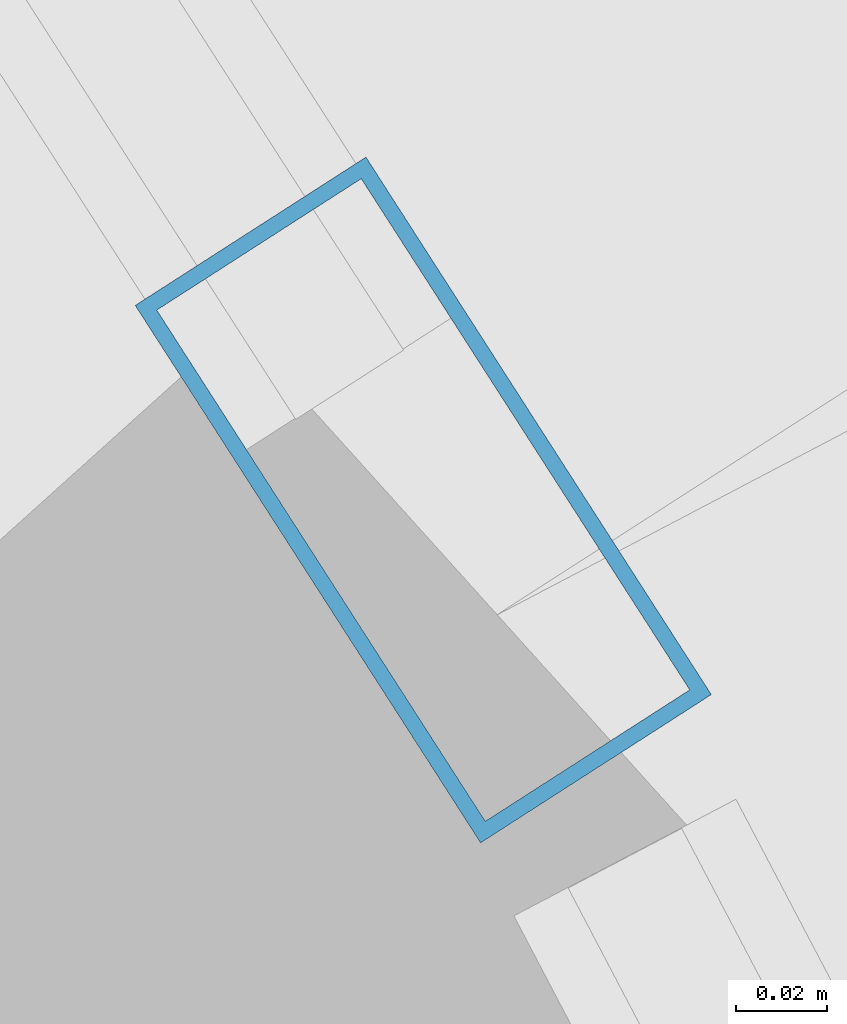
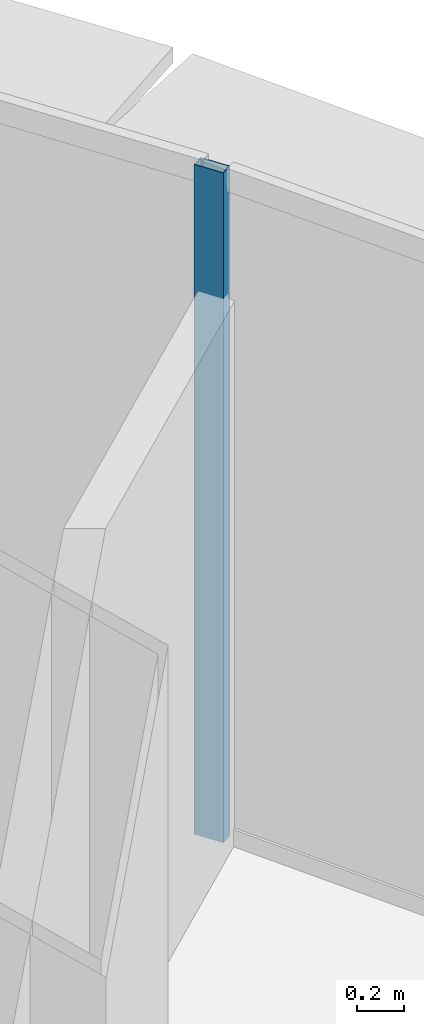
# One storey, part 21 of 36: 1 member, 1 element without a shape of its own.
"""IFC4 building model written with IfcOpenShell, lengths in metres."""

from ifc_helpers import new_model, si_unit, direction, frame, origin, origin_2d, place, context, subcontext, project, spatial, hollow_rectangle, extrude, source, transform, mapped, material, layer, layer_set, material_profile, profile_set, type_object, element, aggregate, save


model = new_model("IFC4")

# Units and contexts
model_context = context("Model", 3, precision=1e-05, world=origin(), true_north=direction((0.0, 1.0)))
body_context = subcontext(model_context, "Body", "Model", "MODEL_VIEW")
ifc_project = project(units=[si_unit("LENGTHUNIT", "METRE"), si_unit("AREAUNIT", "SQUARE_METRE"), si_unit("VOLUMEUNIT", "CUBIC_METRE"), si_unit("PLANEANGLEUNIT", "RADIAN"), si_unit("MASSUNIT", "GRAM", prefix="KILO"), si_unit("THERMODYNAMICTEMPERATUREUNIT", "KELVIN"), si_unit("POWERUNIT", "WATT")], contexts=[model_context])

# Site, building, storey
site_placement = place(None, origin())
site = spatial("IfcSite", under=ifc_project, at=site_placement, CompositionType="ELEMENT")
building_placement = place(site_placement, origin())
building = spatial("IfcBuilding", under=site, at=building_placement, Name="Yunzhuo Pagoda Commons", CompositionType="ELEMENT")
storey_placement = place(building_placement, frame((0.0, 0.0, 248.260009765625)))
storey = spatial("IfcBuildingStorey", under=building, at=storey_placement, Name="L62", CompositionType="ELEMENT", Elevation=248.260009765625)

# Curtain wall, member
ifc_material = material(Name="Anodized aluminium 6063-T6", Category="aluminium")
ifc_layer = layer(ifc_material, 0.139892578125)
ifc_layer_set = layer_set([ifc_layer], Name="Anodized aluminium 6063-T6")
curtain_wall_type = type_object("IfcCurtainWallType", Name="CW-HI High-Zone Ribbon Curtain Wall", PredefinedType="NOTDEFINED", material=ifc_layer_set)
curtain_wall_placement = place(storey_placement, origin())
curtain_wall = element("IfcCurtainWall", 1, at=curtain_wall_placement, inside=storey, type_object=curtain_wall_type, Name="L62 curtain wall CW-L62-F2B4", PredefinedType="NOTDEFINED")
ifc_material_profile = material_profile(ifc_material, hollow_rectangle(XDim=0.06005859375, YDim=0.139892578125, WallThickness=0.00341796875, at=origin_2d()), Name="Anodized aluminium 6063-T6")
ifc_profile_set = profile_set([ifc_material_profile], Name="Anodized aluminium 6063-T6")
member_type = type_object("IfcMemberType", Name="CW-HI-M Mullion RHS 140x60x3.5", PredefinedType="MULLION", material=ifc_profile_set)
shared_shape = source(origin(), body_context, "Body", "SweptSolid", [
    extrude(hollow_rectangle(XDim=0.06005859375, YDim=0.139892578125, WallThickness=0.00341796875, at=origin_2d()), origin(), (0.0, 0.0, 1.0), 3.47021484375),
])
member_placement = place(storey_placement, frame((70.3955078125, 53.90478515625, 0.0), z_axis=(0.0, 0.0, 1.0), x_axis=(-0.841269037614, -0.540616690782, 0.0)))
member = element("IfcMember", 2, at=member_placement, type_object=member_type, Name="CW mullion 1", PredefinedType="MULLION", context=body_context, shape_type="MappedRepresentation", body=[
    mapped(shared_shape, transform((0.0, 0.0, 0.0), scale=1.0)),
])
aggregate(curtain_wall, [member])

save(model, "model.ifc")
